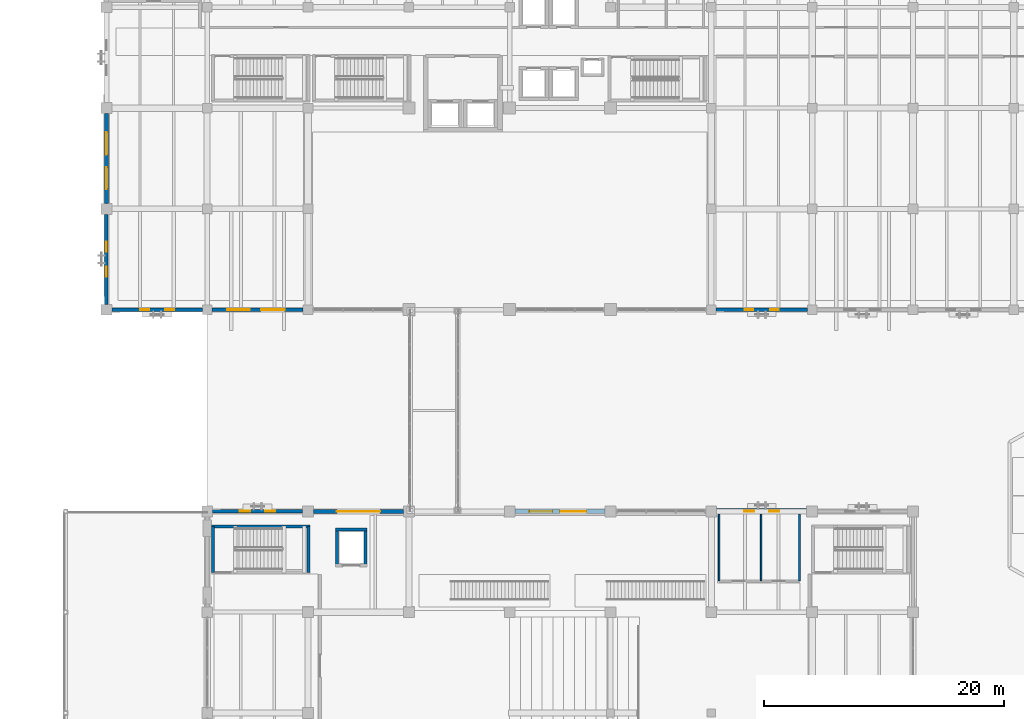
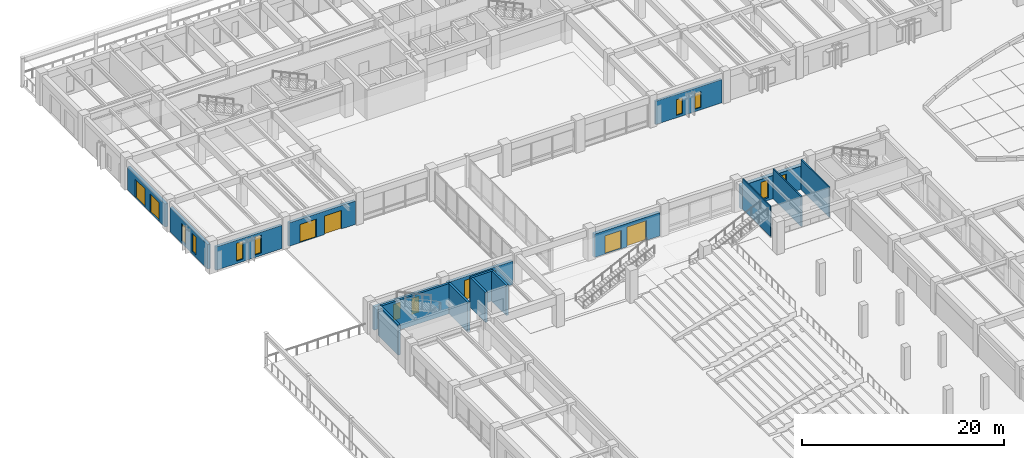
# One storey, part 89 of 135: 18 walls, 10 windows, 7 doors, 17 openings.
"""IFC4 building model written with IfcOpenShell, lengths in metres."""

from ifc_helpers import new_model, si_unit, direction, frame, frame_2d, origin, place, context, subcontext, project, spatial, rectangle, extrude, material, layer, layer_set, type_object, element, fill, save


model = new_model("IFC4")

# Units and contexts
model_context = context("Model", 3, precision=1e-05, world=origin(), true_north=direction((0.0, 1.0)))
body_context = subcontext(model_context, "Body", "Model", "MODEL_VIEW")
ifc_project = project(units=[si_unit("LENGTHUNIT", "METRE"), si_unit("AREAUNIT", "SQUARE_METRE"), si_unit("VOLUMEUNIT", "CUBIC_METRE"), si_unit("PLANEANGLEUNIT", "RADIAN"), si_unit("MASSUNIT", "GRAM", prefix="KILO")], contexts=[model_context])

# Site, building, storey
site_placement = place(None, origin())
site = spatial("IfcSite", under=ifc_project, at=site_placement, CompositionType="ELEMENT")
building_placement = place(site_placement, origin())
building = spatial("IfcBuilding", under=site, at=building_placement, Name="Cumbredor Promenade Congress Hotel", CompositionType="ELEMENT")
storey_placement = place(building_placement, origin())
storey = spatial("IfcBuildingStorey", under=building, at=storey_placement, Name="L00", CompositionType="ELEMENT", Elevation=0.0)

# Wall, openings, windows
ifc_material_1 = material(Name="Concrete C40/50", Category="concrete")
ifc_layer_1 = layer(ifc_material_1, 0.260009765625, Name="Concrete C40/50", Category="concrete")
ifc_layer_set_1 = layer_set([ifc_layer_1], Name="Concrete C40/50")
wall_type_1 = type_object("IfcWallType", Name="WL-EXT-260", PredefinedType="SOLIDWALL", material=ifc_layer_set_1)
wall_1_placement = place(storey_placement, frame((50.801025390625, 84.0, 0.0), z_axis=(0.0, 0.0, 1.0), x_axis=(1.0, 0.0, 0.0)))
wall_1 = element("IfcWall", 1, at=wall_1_placement, inside=storey, type_object=wall_type_1, Name="L00 Stepped Congress Hotel Wing South Envelope Wall 7", PredefinedType="SOLIDWALL", context=body_context, shape_type="SweptSolid", body=[
    extrude(rectangle(XDim=7.597900390625, YDim=0.260009765625, at=frame_2d((3.798828125, 0.0))), origin(), (0.0, 0.0, 1.0), 2.824951171875),
])
opening_1_placement = place(wall_1_placement, frame((2.39892578125, 0.0, 0.300048828125)))
opening_1 = element("IfcOpeningElement", 2, at=opening_1_placement, cuts=wall_1, Name="Opening WN-65", PredefinedType="OPENING", context=body_context, shape_type="SweptSolid", body=[
    extrude(rectangle(XDim=0.699951171875, YDim=1.89990234375, at=frame_2d((0.35009765625, 0.949951171875))), frame((0.0, 0.14013671875, 0.0), z_axis=(0.0, -1.0, 0.0), x_axis=(1.0, 0.0, 0.0)), (0.0, 0.0, 1.0), 0.280029296875),
])
opening_2_placement = place(wall_1_placement, frame((4.4990234375, 0.0, 0.300048828125)))
opening_2 = element("IfcOpeningElement", 3, at=opening_2_placement, cuts=wall_1, Name="Opening WN-65", PredefinedType="OPENING", context=body_context, shape_type="SweptSolid", body=[
    extrude(rectangle(XDim=0.699951171875, YDim=1.89990234375, at=frame_2d((0.35009765625, 0.949951171875))), frame((0.0, 0.14013671875, 0.0), z_axis=(0.0, -1.0, 0.0), x_axis=(1.0, 0.0, 0.0)), (0.0, 0.0, 1.0), 0.280029296875),
])
ifc_material_2 = material(Name="Thermally broken anodized aluminium and low-E glass", Category="aluminium")
window_type_1 = type_object("IfcWindowType", Name="Vertical Slot Window WN-65 700x1900", PartitioningType="SINGLE_PANEL", PredefinedType="WINDOW", material=ifc_material_2)
window_1_placement = place(opening_1_placement, origin())
window_1 = element("IfcWindow", 4, at=window_1_placement, inside=storey, type_object=window_type_1, Name="L00 Vertical Slot Window 0065", OverallHeight=1.89990234375, OverallWidth=0.699951171875, PartitioningType="SINGLE_PANEL", PredefinedType="WINDOW", context=body_context, shape_type="SweptSolid", body=[
    extrude(rectangle(XDim=0.699951171875, YDim=1.89990234375, at=frame_2d((0.35009765625, 0.949951171875))), frame((0.0, 0.030029296875, 0.0), z_axis=(0.0, -1.0, 0.0), x_axis=(1.0, 0.0, 0.0)), (0.0, 0.0, 1.0), 0.06005859375),
])
fill(opening_1, window_1)
window_2_placement = place(opening_2_placement, origin())
window_2 = element("IfcWindow", 5, at=window_2_placement, inside=storey, type_object=window_type_1, Name="L00 Vertical Slot Window 0066", OverallHeight=1.89990234375, OverallWidth=0.699951171875, PartitioningType="SINGLE_PANEL", PredefinedType="WINDOW", context=body_context, shape_type="SweptSolid", body=[
    extrude(rectangle(XDim=0.699951171875, YDim=1.89990234375, at=frame_2d((0.35009765625, 0.949951171875))), frame((0.0, 0.030029296875, 0.0), z_axis=(0.0, -1.0, 0.0), x_axis=(1.0, 0.0, 0.0)), (0.0, 0.0, 1.0), 0.06005859375),
])
fill(opening_2, window_2)

ifc_layer_2 = layer(ifc_material_1, 0.300048828125, Name="Concrete C40/50", Category="concrete")
ifc_layer_set_2 = layer_set([ifc_layer_2], Name="Concrete C40/50")
wall_type_2 = type_object("IfcWallType", Name="WL-EXT-300", PredefinedType="SOLIDWALL", material=ifc_layer_set_2)
wall_2_placement = place(storey_placement, frame((8.85107421875, 67.199951171875, 0.0), z_axis=(0.0, 0.0, 1.0), x_axis=(1.0, 0.0, 0.0)))
wall_2 = element("IfcWall", 6, at=wall_2_placement, inside=storey, type_object=wall_type_2, Name="L00 Plenary Congress Hall North Envelope Wall 1", PredefinedType="SOLIDWALL", context=body_context, shape_type="SweptSolid", body=[
    extrude(rectangle(XDim=7.498046875, YDim=0.300048828125, at=frame_2d((3.7490234375, 0.0))), origin(), (0.0, 0.0, 1.0), 2.824951171875),
])
opening_3_placement = place(wall_2_placement, frame((2.279052734375, 0.0, 0.300048828125)))
opening_3 = element("IfcOpeningElement", 7, at=opening_3_placement, cuts=wall_2, Name="Opening WN-51", PredefinedType="OPENING", context=body_context, shape_type="SweptSolid", body=[
    extrude(rectangle(XDim=0.840087890625, YDim=1.949951171875, at=frame_2d((0.419921875, 0.97509765625))), frame((0.0, 0.16015625, 0.0), z_axis=(0.0, -1.0, 0.0), x_axis=(1.0, 0.0, 0.0)), (0.0, 0.0, 1.0), 0.320068359375),
])
opening_4_placement = place(wall_2_placement, frame((4.37890625, 0.0, 0.300048828125)))
opening_4 = element("IfcOpeningElement", 8, at=opening_4_placement, cuts=wall_2, Name="Opening WN-51", PredefinedType="OPENING", context=body_context, shape_type="SweptSolid", body=[
    extrude(rectangle(XDim=0.840087890625, YDim=1.949951171875, at=frame_2d((0.419921875, 0.97509765625))), frame((0.0, 0.16015625, 0.0), z_axis=(0.0, -1.0, 0.0), x_axis=(1.0, 0.0, 0.0)), (0.0, 0.0, 1.0), 0.320068359375),
])
window_type_2 = type_object("IfcWindowType", Name="Vertical Slot Window WN-51 840x1950", PartitioningType="SINGLE_PANEL", PredefinedType="WINDOW", material=ifc_material_2)
window_3_placement = place(opening_3_placement, origin())
window_3 = element("IfcWindow", 9, at=window_3_placement, inside=storey, type_object=window_type_2, Name="L00 Vertical Slot Window 0007", OverallHeight=1.949951171875, OverallWidth=0.840087890625, PartitioningType="SINGLE_PANEL", PredefinedType="WINDOW", context=body_context, shape_type="SweptSolid", body=[
    extrude(rectangle(XDim=0.840087890625, YDim=1.949951171875, at=frame_2d((0.419921875, 0.97509765625))), frame((0.0, 0.030029296875, 0.0), z_axis=(0.0, -1.0, 0.0), x_axis=(1.0, 0.0, 0.0)), (0.0, 0.0, 1.0), 0.06005859375),
])
fill(opening_3, window_3)
window_4_placement = place(opening_4_placement, origin())
window_4 = element("IfcWindow", 10, at=window_4_placement, inside=storey, type_object=window_type_2, Name="L00 Vertical Slot Window 0008", OverallHeight=1.949951171875, OverallWidth=0.840087890625, PartitioningType="SINGLE_PANEL", PredefinedType="WINDOW", context=body_context, shape_type="SweptSolid", body=[
    extrude(rectangle(XDim=0.840087890625, YDim=1.949951171875, at=frame_2d((0.419921875, 0.97509765625))), frame((0.0, 0.030029296875, 0.0), z_axis=(0.0, -1.0, 0.0), x_axis=(1.0, 0.0, 0.0)), (0.0, 0.0, 1.0), 0.06005859375),
])
fill(opening_4, window_4)

wall_3_placement = place(storey_placement, frame((0.450927734375, 84.0, 0.0), z_axis=(0.0, 0.0, 1.0), x_axis=(1.0, 0.0, 0.0)))
wall_3 = element("IfcWall", 11, at=wall_3_placement, inside=storey, type_object=wall_type_2, Name="L00 Stepped Congress Hotel Wing South Envelope Wall 1", PredefinedType="SOLIDWALL", context=body_context, shape_type="SweptSolid", body=[
    extrude(rectangle(XDim=7.548095703125, YDim=0.300048828125, at=frame_2d((3.77392578125, 0.0))), origin(), (0.0, 0.0, 1.0), 2.824951171875),
])
opening_5_placement = place(wall_3_placement, frame((2.34912109375, 0.0, 0.300048828125)))
opening_5 = element("IfcOpeningElement", 12, at=opening_5_placement, cuts=wall_3, Name="Opening WN-57", PredefinedType="OPENING", context=body_context, shape_type="SweptSolid", body=[
    extrude(rectangle(XDim=0.75, YDim=2.14990234375, at=frame_2d((0.375, 1.074951171875))), frame((0.0, 0.16015625, 0.0), z_axis=(0.0, -1.0, 0.0), x_axis=(1.0, 0.0, 0.0)), (0.0, 0.0, 1.0), 0.320068359375),
])
opening_6_placement = place(wall_3_placement, frame((4.448974609375, 0.0, 0.300048828125)))
opening_6 = element("IfcOpeningElement", 13, at=opening_6_placement, cuts=wall_3, Name="Opening WN-57", PredefinedType="OPENING", context=body_context, shape_type="SweptSolid", body=[
    extrude(rectangle(XDim=0.75, YDim=2.14990234375, at=frame_2d((0.375, 1.074951171875))), frame((0.0, 0.16015625, 0.0), z_axis=(0.0, -1.0, 0.0), x_axis=(1.0, 0.0, 0.0)), (0.0, 0.0, 1.0), 0.320068359375),
])
window_type_3 = type_object("IfcWindowType", Name="Vertical Slot Window WN-57 750x2150", PartitioningType="SINGLE_PANEL", PredefinedType="WINDOW", material=ifc_material_2)
window_5_placement = place(opening_5_placement, origin())
window_5 = element("IfcWindow", 14, at=window_5_placement, inside=storey, type_object=window_type_3, Name="L00 Vertical Slot Window 0063", OverallHeight=2.14990234375, OverallWidth=0.75, PartitioningType="SINGLE_PANEL", PredefinedType="WINDOW", context=body_context, shape_type="SweptSolid", body=[
    extrude(rectangle(XDim=0.75, YDim=2.14990234375, at=frame_2d((0.375, 1.074951171875))), frame((0.0, 0.030029296875, 0.0), z_axis=(0.0, -1.0, 0.0), x_axis=(1.0, 0.0, 0.0)), (0.0, 0.0, 1.0), 0.06005859375),
])
fill(opening_5, window_5)
window_6_placement = place(opening_6_placement, origin())
window_6 = element("IfcWindow", 15, at=window_6_placement, inside=storey, type_object=window_type_3, Name="L00 Vertical Slot Window 0064", OverallHeight=2.14990234375, OverallWidth=0.75, PartitioningType="SINGLE_PANEL", PredefinedType="WINDOW", context=body_context, shape_type="SweptSolid", body=[
    extrude(rectangle(XDim=0.75, YDim=2.14990234375, at=frame_2d((0.375, 1.074951171875))), frame((0.0, 0.030029296875, 0.0), z_axis=(0.0, -1.0, 0.0), x_axis=(1.0, 0.0, 0.0)), (0.0, 0.0, 1.0), 0.06005859375),
])
fill(opening_6, window_6)

wall_4_placement = place(storey_placement, frame((0.0, 84.450927734375, 0.0), z_axis=(0.0, 0.0, 1.0), x_axis=(0.0, 1.0, 0.0)))
wall_4 = element("IfcWall", 16, at=wall_4_placement, inside=storey, type_object=wall_type_2, Name="L00 Stepped Congress Hotel Wing West Envelope Wall 1", PredefinedType="SOLIDWALL", context=body_context, shape_type="SweptSolid", body=[
    extrude(rectangle(XDim=7.498046875, YDim=0.300048828125, at=frame_2d((3.7490234375, 0.0))), origin(), (0.0, 0.0, 1.0), 2.97509765625),
])
opening_7_placement = place(wall_4_placement, frame((2.2890625, 0.0, 0.300048828125)))
opening_7 = element("IfcOpeningElement", 17, at=opening_7_placement, cuts=wall_4, Name="Opening WN-58", PredefinedType="OPENING", context=body_context, shape_type="SweptSolid", body=[
    extrude(rectangle(XDim=0.820068359375, YDim=2.14990234375, at=frame_2d((0.41015625, 1.074951171875))), frame((0.0, 0.16015625, 0.0), z_axis=(0.0, -1.0, 0.0), x_axis=(1.0, 0.0, 0.0)), (0.0, 0.0, 1.0), 0.320068359375),
])
opening_8_placement = place(wall_4_placement, frame((4.388916015625, 0.0, 0.300048828125)))
opening_8 = element("IfcOpeningElement", 18, at=opening_8_placement, cuts=wall_4, Name="Opening WN-58", PredefinedType="OPENING", context=body_context, shape_type="SweptSolid", body=[
    extrude(rectangle(XDim=0.820068359375, YDim=2.14990234375, at=frame_2d((0.41015625, 1.074951171875))), frame((0.0, 0.16015625, 0.0), z_axis=(0.0, -1.0, 0.0), x_axis=(1.0, 0.0, 0.0)), (0.0, 0.0, 1.0), 0.320068359375),
])
window_type_4 = type_object("IfcWindowType", Name="Vertical Slot Window WN-58 820x2150", PartitioningType="SINGLE_PANEL", PredefinedType="WINDOW", material=ifc_material_2)
window_7_placement = place(opening_7_placement, origin())
window_7 = element("IfcWindow", 19, at=window_7_placement, inside=storey, type_object=window_type_4, Name="L00 Vertical Slot Window 0089", OverallHeight=2.14990234375, OverallWidth=0.820068359375, PartitioningType="SINGLE_PANEL", PredefinedType="WINDOW", context=body_context, shape_type="SweptSolid", body=[
    extrude(rectangle(XDim=0.820068359375, YDim=2.14990234375, at=frame_2d((0.41015625, 1.074951171875))), frame((0.0, 0.030029296875, 0.0), z_axis=(0.0, -1.0, 0.0), x_axis=(1.0, 0.0, 0.0)), (0.0, 0.0, 1.0), 0.06005859375),
])
fill(opening_7, window_7)
window_8_placement = place(opening_8_placement, origin())
window_8 = element("IfcWindow", 20, at=window_8_placement, inside=storey, type_object=window_type_4, Name="L00 Vertical Slot Window 0090", OverallHeight=2.14990234375, OverallWidth=0.820068359375, PartitioningType="SINGLE_PANEL", PredefinedType="WINDOW", context=body_context, shape_type="SweptSolid", body=[
    extrude(rectangle(XDim=0.820068359375, YDim=2.14990234375, at=frame_2d((0.41015625, 1.074951171875))), frame((0.0, 0.030029296875, 0.0), z_axis=(0.0, -1.0, 0.0), x_axis=(1.0, 0.0, 0.0)), (0.0, 0.0, 1.0), 0.06005859375),
])
fill(opening_8, window_8)

# Wall, opening, door
ifc_layer_3 = layer(ifc_material_1, 0.324951171875, Name="Concrete C40/50", Category="concrete")
ifc_layer_set_3 = layer_set([ifc_layer_3], Name="Concrete C40/50")
wall_type_3 = type_object("IfcWallType", Name="WL-EXT-325", PredefinedType="SOLIDWALL", material=ifc_layer_set_3)
wall_5_placement = place(storey_placement, frame((17.2509765625, 67.199951171875, 0.0), z_axis=(0.0, 0.0, 1.0), x_axis=(1.0, 0.0, 0.0)))
wall_5 = element("IfcWall", 21, at=wall_5_placement, inside=storey, type_object=wall_type_3, Name="L00 Plenary Congress Hall North Envelope Wall 2", PredefinedType="SOLIDWALL", context=body_context, shape_type="SweptSolid", body=[
    extrude(rectangle(XDim=7.498046875, YDim=0.324951171875, at=frame_2d((3.7490234375, 0.0))), origin(), (0.0, 0.0, 1.0), 2.824951171875),
])
opening_9_placement = place(wall_5_placement, frame((1.948974609375, 0.0, 0.0)))
opening_9 = element("IfcOpeningElement", 22, at=opening_9_placement, cuts=wall_5, Name="Opening VG-02", PredefinedType="OPENING", context=body_context, shape_type="SweptSolid", body=[
    extrude(rectangle(XDim=3.60009765625, YDim=2.39990234375, at=frame_2d((1.800048828125, 1.199951171875))), frame((0.0, 0.17236328125, 0.0), z_axis=(0.0, -1.0, 0.0), x_axis=(1.0, 0.0, 0.0)), (0.0, 0.0, 1.0), 0.344970703125),
])
ifc_material_3 = material(Name="Thermally broken anodized aluminium and laminated safety glass", Category="aluminium")
door_type_1 = type_object("IfcDoorType", Name="Service Yard Security Gate VG-02 3600x2400", OperationType="ROLLINGUP", PredefinedType="GATE", material=ifc_material_3)
door_1_placement = place(opening_9_placement, origin())
door_1 = element("IfcDoor", 23, at=door_1_placement, inside=storey, type_object=door_type_1, Name="L00 Plenary Congress Hall North Final Exit Door 02", OperationType="ROLLINGUP", OverallHeight=2.39990234375, OverallWidth=3.60009765625, PredefinedType="GATE", context=body_context, shape_type="SweptSolid", body=[
    extrude(rectangle(XDim=3.60009765625, YDim=2.39990234375, at=frame_2d((1.800048828125, 1.199951171875))), frame((0.0, 0.02490234375, 0.0), z_axis=(0.0, -1.0, 0.0), x_axis=(1.0, 0.0, 0.0)), (0.0, 0.0, 1.0), 0.050048828125),
])
fill(opening_9, door_1)

# Wall, openings, doors
wall_6_placement = place(storey_placement, frame((8.801025390625, 84.0, 0.0), z_axis=(0.0, 0.0, 1.0), x_axis=(1.0, 0.0, 0.0)))
wall_6 = element("IfcWall", 24, at=wall_6_placement, inside=storey, type_object=wall_type_3, Name="L00 Stepped Congress Hotel Wing South Envelope Wall 2", PredefinedType="SOLIDWALL", context=body_context, shape_type="SweptSolid", body=[
    extrude(rectangle(XDim=7.597900390625, YDim=0.324951171875, at=frame_2d((3.798828125, 0.0))), origin(), (0.0, 0.0, 1.0), 2.824951171875),
])
opening_10_placement = place(wall_6_placement, frame((1.2490234375, 0.0, 0.0)))
opening_10 = element("IfcOpeningElement", 25, at=opening_10_placement, cuts=wall_6, Name="Opening EX-02", PredefinedType="OPENING", context=body_context, shape_type="SweptSolid", body=[
    extrude(rectangle(XDim=1.89990234375, YDim=2.199951171875, at=frame_2d((0.949951171875, 1.10009765625))), frame((0.0, 0.17236328125, 0.0), z_axis=(0.0, -1.0, 0.0), x_axis=(1.0, 0.0, 0.0)), (0.0, 0.0, 1.0), 0.344970703125),
])
opening_11_placement = place(wall_6_placement, frame((4.097900390625, 0.0, 0.0)))
opening_11 = element("IfcOpeningElement", 26, at=opening_11_placement, cuts=wall_6, Name="Opening EX-10", PredefinedType="OPENING", context=body_context, shape_type="SweptSolid", body=[
    extrude(rectangle(XDim=1.949951171875, YDim=2.25, at=frame_2d((0.97509765625, 1.125))), frame((0.0, 0.17236328125, 0.0), z_axis=(0.0, -1.0, 0.0), x_axis=(1.0, 0.0, 0.0)), (0.0, 0.0, 1.0), 0.344970703125),
])
door_type_2 = type_object("IfcDoorType", Name="EXT-DR-EXIT-1900x2200", OperationType="DOUBLE_DOOR_SINGLE_SWING", PredefinedType="DOOR", material=ifc_material_3)
door_2_placement = place(opening_10_placement, frame((1.89990234375, 0.0, 0.0), z_axis=(0.0, 0.0, 1.0), x_axis=(-1.0, 0.0, 0.0)))
door_2 = element("IfcDoor", 27, at=door_2_placement, inside=storey, type_object=door_type_2, Name="L00 Stepped Congress Hotel Wing South Final Exit Door 25.1", OperationType="DOUBLE_DOOR_SINGLE_SWING", OverallHeight=2.199951171875, OverallWidth=1.89990234375, PredefinedType="DOOR", context=body_context, shape_type="SweptSolid", body=[
    extrude(rectangle(XDim=1.89990234375, YDim=2.199951171875, at=frame_2d((0.949951171875, 1.10009765625))), frame((0.0, 0.02490234375, 0.0), z_axis=(0.0, -1.0, 0.0), x_axis=(1.0, 0.0, 0.0)), (0.0, 0.0, 1.0), 0.050048828125),
])
fill(opening_10, door_2)
door_type_3 = type_object("IfcDoorType", Name="EXT-DR-EXIT-1950x2250", OperationType="DOUBLE_DOOR_SINGLE_SWING", PredefinedType="DOOR", material=ifc_material_3)
door_3_placement = place(opening_11_placement, frame((1.949951171875, 0.0, 0.0), z_axis=(0.0, 0.0, 1.0), x_axis=(-1.0, 0.0, 0.0)))
door_3 = element("IfcDoor", 28, at=door_3_placement, inside=storey, type_object=door_type_3, Name="L00 Stepped Congress Hotel Wing South Final Exit Door 25.2", OperationType="DOUBLE_DOOR_SINGLE_SWING", OverallHeight=2.25, OverallWidth=1.949951171875, PredefinedType="DOOR", context=body_context, shape_type="SweptSolid", body=[
    extrude(rectangle(XDim=1.949951171875, YDim=2.25, at=frame_2d((0.97509765625, 1.125))), frame((0.0, 0.02490234375, 0.0), z_axis=(0.0, -1.0, 0.0), x_axis=(1.0, 0.0, 0.0)), (0.0, 0.0, 1.0), 0.050048828125),
])
fill(opening_11, door_3)

wall_7_placement = place(storey_placement, frame((0.0, 92.85107421875, 0.0), z_axis=(0.0, 0.0, 1.0), x_axis=(0.0, 1.0, 0.0)))
wall_7 = element("IfcWall", 29, at=wall_7_placement, inside=storey, type_object=wall_type_3, Name="L00 Stepped Congress Hotel Wing West Envelope Wall 2", PredefinedType="SOLIDWALL", context=body_context, shape_type="SweptSolid", body=[
    extrude(rectangle(XDim=7.498046875, YDim=0.324951171875, at=frame_2d((3.7490234375, 0.0))), origin(), (0.0, 0.0, 1.0), 2.77490234375),
])
opening_12_placement = place(wall_7_placement, frame((1.198974609375, 0.0, 0.0)))
opening_12 = element("IfcOpeningElement", 30, at=opening_12_placement, cuts=wall_7, Name="Opening EX-01", PredefinedType="OPENING", context=body_context, shape_type="SweptSolid", body=[
    extrude(rectangle(XDim=1.800048828125, YDim=2.199951171875, at=frame_2d((0.89990234375, 1.10009765625))), frame((0.0, 0.17236328125, 0.0), z_axis=(0.0, -1.0, 0.0), x_axis=(1.0, 0.0, 0.0)), (0.0, 0.0, 1.0), 0.344970703125),
])
opening_13_placement = place(wall_7_placement, frame((4.048095703125, 0.0, 0.0)))
opening_13 = element("IfcOpeningElement", 31, at=opening_13_placement, cuts=wall_7, Name="Opening EX-02", PredefinedType="OPENING", context=body_context, shape_type="SweptSolid", body=[
    extrude(rectangle(XDim=1.89990234375, YDim=2.199951171875, at=frame_2d((0.949951171875, 1.10009765625))), frame((0.0, 0.17236328125, 0.0), z_axis=(0.0, -1.0, 0.0), x_axis=(1.0, 0.0, 0.0)), (0.0, 0.0, 1.0), 0.344970703125),
])
door_type_4 = type_object("IfcDoorType", Name="EXT-DR-EXIT-1800x2200", OperationType="DOUBLE_DOOR_SINGLE_SWING", PredefinedType="DOOR", material=ifc_material_3)
door_4_placement = place(opening_12_placement, origin())
door_4 = element("IfcDoor", 32, at=door_4_placement, inside=storey, type_object=door_type_4, Name="L00 Stepped Congress Hotel Wing West Final Exit Door 28.1", OperationType="DOUBLE_DOOR_SINGLE_SWING", OverallHeight=2.199951171875, OverallWidth=1.800048828125, PredefinedType="DOOR", context=body_context, shape_type="SweptSolid", body=[
    extrude(rectangle(XDim=1.800048828125, YDim=2.199951171875, at=frame_2d((0.89990234375, 1.10009765625))), frame((0.0, 0.02490234375, 0.0), z_axis=(0.0, -1.0, 0.0), x_axis=(1.0, 0.0, 0.0)), (0.0, 0.0, 1.0), 0.050048828125),
])
fill(opening_12, door_4)
door_5_placement = place(opening_13_placement, origin())
door_5 = element("IfcDoor", 33, at=door_5_placement, inside=storey, type_object=door_type_2, Name="L00 Stepped Congress Hotel Wing West Final Exit Door 28.2", OperationType="DOUBLE_DOOR_SINGLE_SWING", OverallHeight=2.199951171875, OverallWidth=1.89990234375, PredefinedType="DOOR", context=body_context, shape_type="SweptSolid", body=[
    extrude(rectangle(XDim=1.89990234375, YDim=2.199951171875, at=frame_2d((0.949951171875, 1.10009765625))), frame((0.0, 0.02490234375, 0.0), z_axis=(0.0, -1.0, 0.0), x_axis=(1.0, 0.0, 0.0)), (0.0, 0.0, 1.0), 0.050048828125),
])
fill(opening_13, door_5)

ifc_layer_4 = layer(ifc_material_1, 0.3798828125, Name="Concrete C40/50", Category="concrete")
ifc_layer_set_4 = layer_set([ifc_layer_4], Name="Concrete C40/50")
wall_type_4 = type_object("IfcWallType", Name="WL-EXT-380", PredefinedType="SOLIDWALL", material=ifc_layer_set_4)
wall_8_placement = place(storey_placement, frame((34.051025390625, 67.199951171875, 0.0), z_axis=(0.0, 0.0, 1.0), x_axis=(1.0, 0.0, 0.0)))
wall_8 = element("IfcWall", 34, at=wall_8_placement, inside=storey, type_object=wall_type_4, Name="L00 Plenary Congress Hall North Envelope Wall 4", PredefinedType="SOLIDWALL", context=body_context, shape_type="SweptSolid", body=[
    extrude(rectangle(XDim=7.498046875, YDim=0.3798828125, at=frame_2d((3.7490234375, 0.0))), origin(), (0.0, 0.0, 1.0), 2.824951171875),
])
opening_14_placement = place(wall_8_placement, frame((1.198974609375, 0.0, 0.0)))
opening_14 = element("IfcOpeningElement", 35, at=opening_14_placement, cuts=wall_8, Name="Opening EX-02", PredefinedType="OPENING", context=body_context, shape_type="SweptSolid", body=[
    extrude(rectangle(XDim=1.89990234375, YDim=2.199951171875, at=frame_2d((0.949951171875, 1.10009765625))), frame((0.0, 0.199951171875, 0.0), z_axis=(0.0, -1.0, 0.0), x_axis=(1.0, 0.0, 0.0)), (0.0, 0.0, 1.0), 0.39990234375),
])
opening_15_placement = place(wall_8_placement, frame((3.748046875, 0.0, 0.0)))
opening_15 = element("IfcOpeningElement", 36, at=opening_15_placement, cuts=wall_8, Name="Opening EX-04", PredefinedType="OPENING", context=body_context, shape_type="SweptSolid", body=[
    extrude(rectangle(XDim=2.199951171875, YDim=2.39990234375, at=frame_2d((1.10009765625, 1.199951171875))), frame((0.0, 0.199951171875, 0.0), z_axis=(0.0, -1.0, 0.0), x_axis=(1.0, 0.0, 0.0)), (0.0, 0.0, 1.0), 0.39990234375),
])
door_6_placement = place(opening_14_placement, origin())
door_6 = element("IfcDoor", 37, at=door_6_placement, inside=storey, type_object=door_type_2, Name="L00 Plenary Congress Hall North Final Exit Door 03.1", OperationType="DOUBLE_DOOR_SINGLE_SWING", OverallHeight=2.199951171875, OverallWidth=1.89990234375, PredefinedType="DOOR", context=body_context, shape_type="SweptSolid", body=[
    extrude(rectangle(XDim=1.89990234375, YDim=2.199951171875, at=frame_2d((0.949951171875, 1.10009765625))), frame((0.0, 0.02490234375, 0.0), z_axis=(0.0, -1.0, 0.0), x_axis=(1.0, 0.0, 0.0)), (0.0, 0.0, 1.0), 0.050048828125),
])
fill(opening_14, door_6)
door_type_5 = type_object("IfcDoorType", Name="EXT-DR-EXIT-2200x2400", OperationType="DOUBLE_DOOR_SINGLE_SWING", PredefinedType="DOOR", material=ifc_material_3)
door_7_placement = place(opening_15_placement, origin())
door_7 = element("IfcDoor", 38, at=door_7_placement, inside=storey, type_object=door_type_5, Name="L00 Plenary Congress Hall North Final Exit Door 03.2", OperationType="DOUBLE_DOOR_SINGLE_SWING", OverallHeight=2.39990234375, OverallWidth=2.199951171875, PredefinedType="DOOR", context=body_context, shape_type="SweptSolid", body=[
    extrude(rectangle(XDim=2.199951171875, YDim=2.39990234375, at=frame_2d((1.10009765625, 1.199951171875))), frame((0.0, 0.02490234375, 0.0), z_axis=(0.0, -1.0, 0.0), x_axis=(1.0, 0.0, 0.0)), (0.0, 0.0, 1.0), 0.050048828125),
])
fill(opening_15, door_7)

# Wall, openings, windows
ifc_layer_5 = layer(ifc_material_1, 0.449951171875, Name="Concrete C40/50", Category="concrete")
ifc_layer_set_5 = layer_set([ifc_layer_5], Name="Concrete C40/50")
wall_type_5 = type_object("IfcWallType", Name="WL-EXT-450", PredefinedType="SOLIDWALL", material=ifc_layer_set_5)
wall_9_placement = place(storey_placement, frame((50.85107421875, 67.199951171875, 0.0), z_axis=(0.0, 0.0, 1.0), x_axis=(1.0, 0.0, 0.0)))
wall_9 = element("IfcWall", 39, at=wall_9_placement, inside=storey, type_object=wall_type_5, Name="L00 Plenary Congress Hall North Envelope Wall 6", PredefinedType="SOLIDWALL", context=body_context, shape_type="SweptSolid", body=[
    extrude(rectangle(XDim=7.498046875, YDim=0.449951171875, at=frame_2d((3.7490234375, 0.0))), origin(), (0.0, 0.0, 1.0), 2.824951171875),
])
opening_16_placement = place(wall_9_placement, frame((2.2890625, 0.0, 0.300048828125)))
opening_16 = element("IfcOpeningElement", 40, at=opening_16_placement, cuts=wall_9, Name="Opening WN-58", PredefinedType="OPENING", context=body_context, shape_type="SweptSolid", body=[
    extrude(rectangle(XDim=0.820068359375, YDim=2.14990234375, at=frame_2d((0.41015625, 1.074951171875))), frame((0.0, 0.23486328125, 0.0), z_axis=(0.0, -1.0, 0.0), x_axis=(1.0, 0.0, 0.0)), (0.0, 0.0, 1.0), 0.469970703125),
])
opening_17_placement = place(wall_9_placement, frame((4.388916015625, 0.0, 0.300048828125)))
opening_17 = element("IfcOpeningElement", 41, at=opening_17_placement, cuts=wall_9, Name="Opening WN-58", PredefinedType="OPENING", context=body_context, shape_type="SweptSolid", body=[
    extrude(rectangle(XDim=0.820068359375, YDim=2.14990234375, at=frame_2d((0.41015625, 1.074951171875))), frame((0.0, 0.23486328125, 0.0), z_axis=(0.0, -1.0, 0.0), x_axis=(1.0, 0.0, 0.0)), (0.0, 0.0, 1.0), 0.469970703125),
])
window_9_placement = place(opening_16_placement, origin())
window_9 = element("IfcWindow", 42, at=window_9_placement, inside=storey, type_object=window_type_4, Name="L00 Vertical Slot Window 0009", OverallHeight=2.14990234375, OverallWidth=0.820068359375, PartitioningType="SINGLE_PANEL", PredefinedType="WINDOW", context=body_context, shape_type="SweptSolid", body=[
    extrude(rectangle(XDim=0.820068359375, YDim=2.14990234375, at=frame_2d((0.41015625, 1.074951171875))), frame((0.0, 0.030029296875, 0.0), z_axis=(0.0, -1.0, 0.0), x_axis=(1.0, 0.0, 0.0)), (0.0, 0.0, 1.0), 0.06005859375),
])
fill(opening_16, window_9)
window_10_placement = place(opening_17_placement, origin())
window_10 = element("IfcWindow", 43, at=window_10_placement, inside=storey, type_object=window_type_4, Name="L00 Vertical Slot Window 0010", OverallHeight=2.14990234375, OverallWidth=0.820068359375, PartitioningType="SINGLE_PANEL", PredefinedType="WINDOW", context=body_context, shape_type="SweptSolid", body=[
    extrude(rectangle(XDim=0.820068359375, YDim=2.14990234375, at=frame_2d((0.41015625, 1.074951171875))), frame((0.0, 0.030029296875, 0.0), z_axis=(0.0, -1.0, 0.0), x_axis=(1.0, 0.0, 0.0)), (0.0, 0.0, 1.0), 0.06005859375),
])
fill(opening_17, window_10)

# Walls
ifc_material_4 = material(Name="Acoustic gypsum partition on steel studs", Category="steel")
ifc_layer_6 = layer(ifc_material_4, 0.139892578125, Name="Acoustic gypsum partition on steel studs", Category="steel")
ifc_layer_set_6 = layer_set([ifc_layer_6], Name="Acoustic gypsum partition on steel studs")
wall_type_6 = type_object("IfcWallType", Name="WL-PART-140", PredefinedType="PARTITIONING", material=ifc_layer_set_6)
for number, where, z_axis, x_axis, name in (
    (44, (51.050048828125, 61.39990234375, 0.0), (0.0, 0.0, 1.0), (0.0, 1.0, 0.0), "L00 Interior Partition W-L00-V1-WC-W"),
    (45, (54.550048828125, 61.39990234375, 0.0), (0.0, 0.0, 1.0), (0.0, 1.0, 0.0), "L00 Interior Partition W-L00-V1-WC-M"),
    (46, (57.75, 61.39990234375, 0.0), (0.0, 0.0, 1.0), (0.0, 1.0, 0.0), "L00 Interior Partition W-L00-V1-WC-E"),
):
    element("IfcWall", number, at=place(storey_placement, frame(where, z_axis=z_axis, x_axis=x_axis)), inside=storey, type_object=wall_type_6, Name=name, PredefinedType="PARTITIONING", context=body_context, shape_type="SweptSolid", body=[
        extrude(rectangle(XDim=5.5751953125, YDim=0.139892578125, at=frame_2d((2.78759765625, 0.0))), origin(), (0.0, 0.0, 1.0), 3.639892578125),
    ])
ifc_layer_7 = layer(ifc_material_1, 0.2548828125, Name="Concrete C40/50", Category="concrete")
ifc_layer_set_7 = layer_set([ifc_layer_7], Name="Concrete C40/50")
wall_type_7 = type_object("IfcWallType", Name="WL-SHAFT-250", PredefinedType="SOLIDWALL", material=ifc_layer_set_7)
wall_10_placement = place(storey_placement, frame((8.75244140625, 65.949951171875, 0.0), z_axis=(0.0, 0.0, 1.0), x_axis=(1.0, 0.0, 0.0)))
element("IfcWall", 47, at=wall_10_placement, inside=storey, type_object=wall_type_7, Name="STAIR-ST-06-L00 Shaft Wall North", PredefinedType="SOLIDWALL", context=body_context, shape_type="SweptSolid", body=[
    extrude(rectangle(XDim=8.22509765625, YDim=0.2548828125, at=frame_2d((4.112548828125, 0.0))), origin(), (0.0, 0.0, 1.0), 3.639892578125),
])
for number, where, z_axis, x_axis, name in (
    (48, (8.8798828125, 62.10009765625, 0.0), (0.0, 0.0, 1.0), (0.0, 1.0, 0.0), "STAIR-ST-06-L00 Shaft Wall West"),
    (49, (16.85009765625, 62.10009765625, 0.0), (0.0, 0.0, 1.0), (0.0, 1.0, 0.0), "STAIR-ST-06-L00 Shaft Wall East"),
):
    element("IfcWall", number, at=place(storey_placement, frame(where, z_axis=z_axis, x_axis=x_axis)), inside=storey, type_object=wall_type_7, Name=name, PredefinedType="SOLIDWALL", context=body_context, shape_type="SweptSolid", body=[
        extrude(rectangle(XDim=3.849853515625, YDim=0.2548828125, at=frame_2d((1.9248046875, 0.0))), origin(), (0.0, 0.0, 1.0), 3.639892578125),
    ])
wall_11_placement = place(storey_placement, frame((19.072509765625, 65.699951171875, 0.0), z_axis=(0.0, 0.0, 1.0), x_axis=(1.0, 0.0, 0.0)))
element("IfcWall", 50, at=wall_11_placement, inside=storey, type_object=wall_type_7, Name="SHAFT-SV-01-L00 Shaft Wall North", PredefinedType="SOLIDWALL", context=body_context, shape_type="SweptSolid", body=[
    extrude(rectangle(XDim=2.655029296875, YDim=0.2548828125, at=frame_2d((1.32763671875, 0.0))), origin(), (0.0, 0.0, 1.0), 3.639892578125),
])
for number, where, z_axis, x_axis, name in (
    (51, (19.199951171875, 62.699951171875, 0.0), (0.0, 0.0, 1.0), (0.0, 1.0, 0.0), "SHAFT-SV-01-L00 Shaft Wall West"),
    (52, (21.60009765625, 62.699951171875, 0.0), (0.0, 0.0, 1.0), (0.0, 1.0, 0.0), "SHAFT-SV-01-L00 Shaft Wall East"),
):
    element("IfcWall", number, at=place(storey_placement, frame(where, z_axis=z_axis, x_axis=x_axis)), inside=storey, type_object=wall_type_7, Name=name, PredefinedType="SOLIDWALL", context=body_context, shape_type="SweptSolid", body=[
        extrude(rectangle(XDim=3.0, YDim=0.2548828125, at=frame_2d((1.5, 0.0))), origin(), (0.0, 0.0, 1.0), 3.639892578125),
    ])

save(model, "model.ifc")
